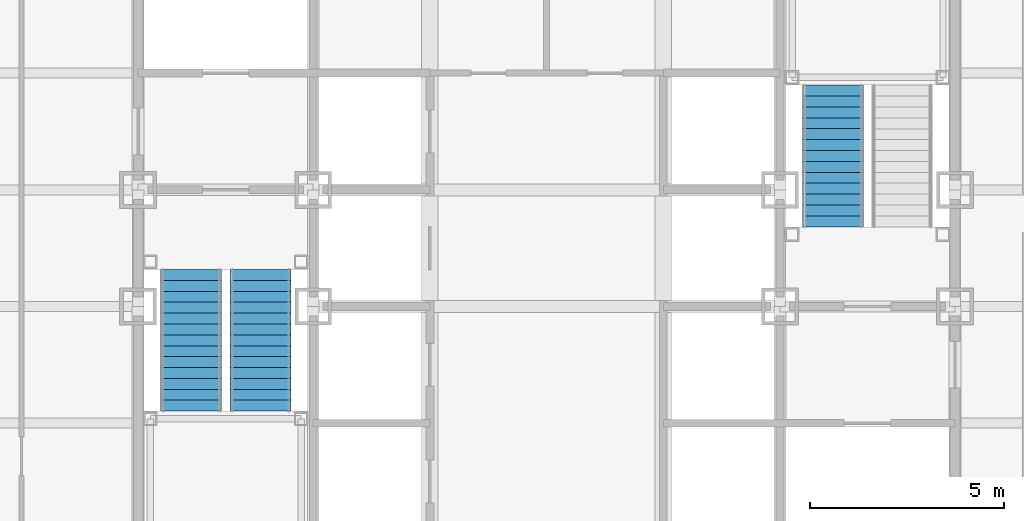
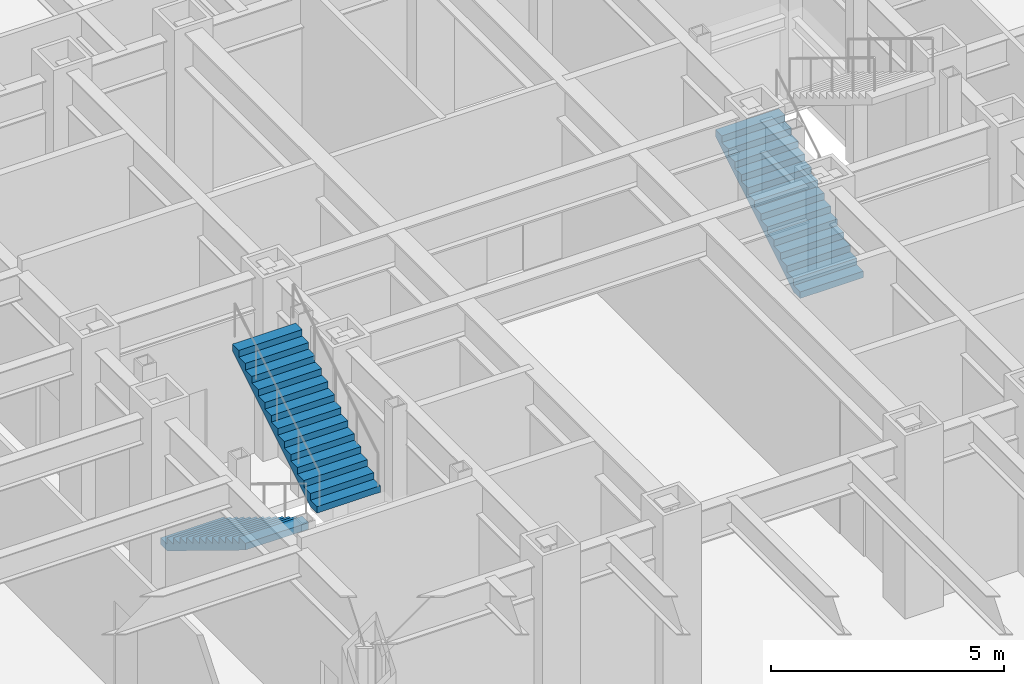
# One storey, part 16 of 24: 3 stair flights, 2 elements without a shape of their own.
"""IFC4 building model written with IfcOpenShell, lengths in metres."""

import ifcopenshell
import ifcopenshell.guid

model = None  # the IFC model being written
_history = None  # IfcOwnerHistory: only IFC2X3 demands one
_inside = {}  # id of a spatial element -> (the spatial element, [elements in it])
_under = {}  # id of a project, library or spatial element -> (it, [spatial elements below it])
_declared = {}  # id of a project -> (the project, [libraries it declares])
_typed = {}  # id of a type object -> (the type object, [elements of that type])
_made_of = {}  # id of a material, layer set ... -> (it, [elements and type objects made of it])


def new_model(schema):
    """Start an empty IFC model of exactly this schema.

    Asked for "IFC4X3", IfcOpenShell would pick the latest addendum, in which some entities
    have other attributes; the version numbers below select the first issue.
    IFC2X3 requires an IfcOwnerHistory on every rooted entity: one is made here for all.
    """
    global model, _history
    if schema == "IFC4X3":
        model = ifcopenshell.file(schema_version=(4, 3, 0, 0))
    else:
        model = ifcopenshell.file(schema=schema)
    _inside.clear()
    _under.clear()
    _declared.clear()
    _typed.clear()
    _made_of.clear()
    _history = None
    if model.schema == "IFC2X3":
        org = make("IfcOrganization", Name="unknown")
        user = make(
            "IfcPersonAndOrganization",
            ThePerson=make("IfcPerson", FamilyName="unknown"),
            TheOrganization=org,
        )
        app = make(
            "IfcApplication",
            ApplicationDeveloper=org,
            Version="unknown",
            ApplicationFullName="unknown",
            ApplicationIdentifier="unknown",
        )
        _history = make(
            "IfcOwnerHistory",
            OwningUser=user,
            OwningApplication=app,
            ChangeAction="ADDED",
            CreationDate=0,
        )
    return model


def make(cls, **values):
    """One entity of the class cls with the attributes given. An attribute that is None is left unset."""
    return model.create_entity(
        cls, **{name: value for name, value in values.items() if value is not None}
    )


def rooted(cls, **values):
    """An entity with a GlobalId (a new one), such as an element, a storey or a relation."""
    return make(cls, GlobalId=ifcopenshell.guid.new(), OwnerHistory=_history, **values)


def si_unit(unit_type, name, prefix=None):
    """IfcSIUnit, for example si_unit("LENGTHUNIT", "METRE", prefix="MILLI")."""
    return make("IfcSIUnit", UnitType=unit_type, Prefix=prefix, Name=name)


def assignment(units):
    """IfcUnitAssignment: the units of a project."""
    return None if units is None else make("IfcUnitAssignment", Units=units)


def point(xyz):
    """IfcCartesianPoint."""
    return None if xyz is None else make("IfcCartesianPoint", Coordinates=xyz)


def direction(xyz):
    """IfcDirection."""
    return None if xyz is None else make("IfcDirection", DirectionRatios=xyz)


def frame(location, z_axis=None, x_axis=None):
    """IfcAxis2Placement3D, a coordinate frame: its origin and axes. An axis left out is left unset."""
    return make(
        "IfcAxis2Placement3D",
        Location=point(location),
        Axis=direction(z_axis),
        RefDirection=direction(x_axis),
    )


def origin():
    """The frame at (0, 0, 0) with its axes left unset."""
    return frame((0.0, 0.0, 0.0))


def place(relative_to, where):
    """IfcLocalPlacement: puts the frame where relative to a parent placement (None: the world)."""
    return make(
        "IfcLocalPlacement", PlacementRelTo=relative_to, RelativePlacement=where
    )


def context(
    kind, dimensions, precision=None, world=None, true_north=None, identifier=None
):
    """IfcGeometricRepresentationContext, for example the 3D "Model" context."""
    return make(
        "IfcGeometricRepresentationContext",
        ContextIdentifier=identifier,
        ContextType=kind,
        CoordinateSpaceDimension=dimensions,
        Precision=precision,
        WorldCoordinateSystem=world,
        TrueNorth=true_north,
    )


def subcontext(parent, identifier, kind, view, scale=None):
    """IfcGeometricRepresentationSubContext, for example "Body" below "Model"."""
    return make(
        "IfcGeometricRepresentationSubContext",
        ContextIdentifier=identifier,
        ContextType=kind,
        ParentContext=parent,
        TargetScale=scale,
        TargetView=view,
    )


def project(units=None, contexts=None):
    """IfcProject with its units and contexts."""
    return rooted(
        "IfcProject",
        Name="project",
        RepresentationContexts=contexts,
        UnitsInContext=assignment(units),
    )


def spatial(cls, under=None, at=None, **own):
    """A site, building, storey or space (cls), placed at a placement, below another one or the project."""
    s = rooted(cls, ObjectPlacement=at, **own)
    if under is not None:
        _under.setdefault(under.id(), (under, []))[1].append(s)
    return s


def faces_of(points, faces, orient=None, outer=None):
    """IfcFace entities. A face is a list of loops; a loop is a list of indices into points, from 0.

    orient and outer hold one flag for each loop. By default every Orientation is true, the
    first loop of a face is its IfcFaceOuterBound and the others are IfcFaceBound.
    """
    made = []
    for i, loops in enumerate(faces):
        bounds = []
        for j, loop in enumerate(loops):
            is_outer = j == 0 if outer is None else outer[i][j]
            bounds.append(
                make(
                    "IfcFaceOuterBound" if is_outer else "IfcFaceBound",
                    Bound=make("IfcPolyLoop", Polygon=[points[k] for k in loop]),
                    Orientation=True if orient is None else orient[i][j],
                )
            )
        made.append(make("IfcFace", Bounds=bounds))
    return made


def faceted_brep(points, faces, orient=None, outer=None, voids=None):
    """IfcFacetedBrep: a solid bounded by flat faces; with voids (closed shells), ...WithVoids."""
    shared = [point(p) for p in points]
    hull = make("IfcClosedShell", CfsFaces=faces_of(shared, faces, orient, outer))
    if voids is None:
        return make("IfcFacetedBrep", Outer=hull)
    return make(
        "IfcFacetedBrepWithVoids",
        Outer=hull,
        Voids=[
            make(cls, CfsFaces=faces_of(shared, fs, o, b)) for cls, fs, o, b in voids
        ],
    )


def shape(context_of_items, identifier, shape_type, items):
    """IfcShapeRepresentation: the items that make up one representation, for example the "Body"."""
    return make(
        "IfcShapeRepresentation",
        ContextOfItems=context_of_items,
        RepresentationIdentifier=identifier,
        RepresentationType=shape_type,
        Items=items,
    )


def material(Name=None, Category=None):
    """IfcMaterial."""
    return make("IfcMaterial", Name=Name, Category=Category)


def made_of(thing, what):
    """Note that an element or type object is made of a material, layer set ...; save() writes the relation."""
    if what is not None:
        _made_of.setdefault(what.id(), (what, []))[1].append(thing)
    return thing


def type_object(cls, material=None, **own):
    """A type object (cls), such as IfcWallType, which elements share."""
    return made_of(rooted(cls, **own), material)


def element(
    cls,
    number,
    at=None,
    inside=None,
    cuts=None,
    type_object=None,
    material=None,
    context=None,
    identifier="Body",
    shape_type=None,
    held_by="IfcProductDefinitionShape",
    body=None,
    shapes=None,
    **own,
):
    """One element of the class cls, such as IfcWall. Its Tag is "e" and its number.

    at: its placement. inside: the storey or other place that contains it. cuts: it is an
    opening in that element (IfcRelVoidsElement). A single representation is given by context,
    identifier, shape_type and body (its items); several are given by shapes. held_by: the class
    of the entity that holds the representations. save() writes the other relations.
    """
    e = rooted(cls, Tag="e%d" % number, ObjectPlacement=at, **own)
    if body is not None:
        shapes = [shape(context, identifier, shape_type, body)]
    if shapes is not None:
        e.Representation = make(held_by, Representations=shapes)
    if inside is not None:
        _inside.setdefault(inside.id(), (inside, []))[1].append(e)
    if cuts is not None:
        rooted(
            "IfcRelVoidsElement", RelatingBuildingElement=cuts, RelatedOpeningElement=e
        )
    if type_object is not None:
        _typed.setdefault(type_object.id(), (type_object, []))[1].append(e)
    return made_of(e, material)


def aggregate(whole, parts):
    """IfcRelAggregates: a whole, such as a stair, and the parts it consists of."""
    return rooted("IfcRelAggregates", RelatingObject=whole, RelatedObjects=parts)


def save(model, path):
    """Write the relations noted so far, then the file.

    IfcRelAggregates (storeys below a building ...), IfcRelContainedInSpatialStructure (elements
    in a storey), IfcRelDefinesByType, IfcRelAssociatesMaterial and IfcRelDeclares: one each for
    every whole, place, type object, material and project.
    """
    for whole, parts in _under.values():
        aggregate(whole, parts)
    for where, things in _inside.values():
        rooted(
            "IfcRelContainedInSpatialStructure",
            RelatedElements=things,
            RelatingStructure=where,
        )
    for kind, things in _typed.values():
        rooted("IfcRelDefinesByType", RelatedObjects=things, RelatingType=kind)
    for what, things in _made_of.values():
        rooted("IfcRelAssociatesMaterial", RelatedObjects=things, RelatingMaterial=what)
    for by, libraries in _declared.values():
        rooted("IfcRelDeclares", RelatingContext=by, RelatedDefinitions=libraries)
    model.write(path)


model = new_model("IFC4")

# Units and contexts
model_context = context("Model", 3, precision=1e-05, world=origin(), true_north=direction((0.0, 1.0)))
body_context = subcontext(model_context, "Body", "Model", "MODEL_VIEW")
ifc_project = project(units=[si_unit("LENGTHUNIT", "METRE"), si_unit("AREAUNIT", "SQUARE_METRE"), si_unit("VOLUMEUNIT", "CUBIC_METRE"), si_unit("PLANEANGLEUNIT", "RADIAN"), si_unit("MASSUNIT", "GRAM", prefix="KILO")], contexts=[model_context])

# Site, building, storey
site_placement = place(None, origin())
site = spatial("IfcSite", under=ifc_project, at=site_placement, CompositionType="ELEMENT")
building_placement = place(site_placement, origin())
building = spatial("IfcBuilding", under=site, at=building_placement, Name="Chuquiago Exchange Tower", CompositionType="ELEMENT")
storey_placement = place(building_placement, frame((0.0, 0.0, 19.5)))
storey = spatial("IfcBuildingStorey", under=building, at=storey_placement, Name="L03", CompositionType="ELEMENT", Elevation=19.5)

# Stair, stair flights
ifc_material_1 = material(Name="Concrete C30/37, precast", Category="concrete")
stair_type_1 = type_object("IfcStairType", Name="ST1 half-turn stair 4800", PredefinedType="HALF_TURN_STAIR", material=ifc_material_1)
stair_1_placement = place(storey_placement, origin())
stair_1 = element("IfcStair", 1, at=stair_1_placement, inside=storey, type_object=stair_type_1, Name="Stair ST1 L03", PredefinedType="HALF_TURN_STAIR")
ifc_material_2 = material(Name="Concrete C30/37, precast", Category="concrete")
stair_flight_type = type_object("IfcStairFlightType", Name="ST-F flight 1570 for 4800 storey", PredefinedType="STRAIGHT", material=ifc_material_2)
stair_flight_1_placement = place(storey_placement, frame((13.360107421875, 21.949951171875, 0.0), z_axis=(0.0, 0.0, 1.0), x_axis=(0.0, -1.0, 0.0)))
stair_flight_1 = element("IfcStairFlight", 2, at=stair_flight_1_placement, type_object=stair_flight_type, Name="ST1 flight 1", NumberOfRisers=14, NumberOfTreads=13, PredefinedType="STRAIGHT", RiserHeight=0.171428571, TreadLength=0.28, context=body_context, shape_type="Brep", body=[
    faceted_brep([(0.0, 0.78515625, 0.0), (0.0, 0.78515625, 0.17138671875), (0.280029296875, 0.78515625, 0.17138671875), (0.280029296875, 0.78515625, 0.3427734375), (0.56005859375, 0.78515625, 0.3427734375), (0.56005859375, 0.78515625, 0.514404296875), (0.840087890625, 0.78515625, 0.514404296875), (0.840087890625, 0.78515625, 0.685791015625), (1.1201171875, 0.78515625, 0.685791015625), (1.1201171875, 0.78515625, 0.857177734375), (1.39990234375, 0.78515625, 0.857177734375), (1.39990234375, 0.78515625, 1.028564453125), (1.679931640625, 0.78515625, 1.028564453125), (1.679931640625, 0.78515625, 1.199951171875), (1.9599609375, 0.78515625, 1.199951171875), (1.9599609375, 0.78515625, 1.371337890625), (2.239990234375, 0.78515625, 1.371337890625), (2.239990234375, 0.78515625, 1.54296875), (2.52001953125, 0.78515625, 1.54296875), (2.52001953125, 0.78515625, 1.71435546875), (2.800048828125, 0.78515625, 1.71435546875), (2.800048828125, 0.78515625, 1.8857421875), (3.080078125, 0.78515625, 1.8857421875), (3.080078125, 0.78515625, 2.05712890625), (3.360107421875, 0.78515625, 2.05712890625), (3.360107421875, 0.78515625, 2.228515625), (3.639892578125, 0.78515625, 2.228515625), (3.639892578125, 0.78515625, 2.052734375), (0.287109375, 0.78515625, 0.0), (0.287109375, -0.78515625, 0.0), (3.639892578125, -0.78515625, 2.052734375), (3.639892578125, -0.78515625, 2.228515625), (3.360107421875, -0.78515625, 2.228515625), (3.360107421875, -0.78515625, 2.05712890625), (3.080078125, -0.78515625, 2.05712890625), (3.080078125, -0.78515625, 1.8857421875), (2.800048828125, -0.78515625, 1.8857421875), (2.800048828125, -0.78515625, 1.71435546875), (2.52001953125, -0.78515625, 1.71435546875), (2.52001953125, -0.78515625, 1.54296875), (2.239990234375, -0.78515625, 1.54296875), (2.239990234375, -0.78515625, 1.371337890625), (1.9599609375, -0.78515625, 1.371337890625), (1.9599609375, -0.78515625, 1.199951171875), (1.679931640625, -0.78515625, 1.199951171875), (1.679931640625, -0.78515625, 1.028564453125), (1.39990234375, -0.78515625, 1.028564453125), (1.39990234375, -0.78515625, 0.857177734375), (1.1201171875, -0.78515625, 0.857177734375), (1.1201171875, -0.78515625, 0.685791015625), (0.840087890625, -0.78515625, 0.685791015625), (0.840087890625, -0.78515625, 0.514404296875), (0.56005859375, -0.78515625, 0.514404296875), (0.56005859375, -0.78515625, 0.3427734375), (0.280029296875, -0.78515625, 0.3427734375), (0.280029296875, -0.78515625, 0.17138671875), (0.0, -0.78515625, 0.17138671875), (0.0, -0.78515625, 0.0), (0.0, 0.392578125, 0.0), (0.0, 0.392578125, 0.17138671875), (0.0, 0.0, 0.0), (0.0, 0.0, 0.17138671875), (0.0, -0.392578125, 0.0), (0.0, -0.392578125, 0.17138671875), (0.280029296875, 0.392578125, 0.17138671875), (0.280029296875, 0.0, 0.17138671875), (0.280029296875, -0.392578125, 0.17138671875), (0.280029296875, 0.392578125, 0.3427734375), (0.280029296875, 0.0, 0.3427734375), (0.280029296875, -0.392578125, 0.3427734375), (0.56005859375, 0.392578125, 0.3427734375), (0.56005859375, 0.0, 0.3427734375), (0.56005859375, -0.392578125, 0.3427734375), (0.56005859375, 0.392578125, 0.514404296875), (0.56005859375, 0.0, 0.514404296875), (0.56005859375, -0.392578125, 0.514404296875), (0.840087890625, 0.392578125, 0.514404296875), (0.840087890625, 0.0, 0.514404296875), (0.840087890625, -0.392578125, 0.514404296875), (0.840087890625, 0.392578125, 0.685791015625), (0.840087890625, 0.0, 0.685791015625), (0.840087890625, -0.392578125, 0.685791015625), (1.1201171875, 0.392578125, 0.685791015625), (1.1201171875, 0.0, 0.685791015625), (1.1201171875, -0.392578125, 0.685791015625), (1.1201171875, 0.392578125, 0.857177734375), (1.1201171875, 0.0, 0.857177734375), (1.1201171875, -0.392578125, 0.857177734375), (1.39990234375, 0.392578125, 0.857177734375), (1.39990234375, 0.0, 0.857177734375), (1.39990234375, -0.392578125, 0.857177734375), (1.39990234375, 0.392578125, 1.028564453125), (1.39990234375, 0.0, 1.028564453125), (1.39990234375, -0.392578125, 1.028564453125), (1.679931640625, 0.392578125, 1.028564453125), (1.679931640625, 0.0, 1.028564453125), (1.679931640625, -0.392578125, 1.028564453125), (1.679931640625, 0.392578125, 1.199951171875), (1.679931640625, 0.0, 1.199951171875), (1.679931640625, -0.392578125, 1.199951171875), (1.9599609375, 0.392578125, 1.199951171875), (1.9599609375, 0.0, 1.199951171875), (1.9599609375, -0.392578125, 1.199951171875), (1.9599609375, 0.392578125, 1.371337890625), (1.9599609375, 0.0, 1.371337890625), (1.9599609375, -0.392578125, 1.371337890625), (2.239990234375, 0.392578125, 1.371337890625), (2.239990234375, 0.0, 1.371337890625), (2.239990234375, -0.392578125, 1.371337890625), (2.239990234375, 0.392578125, 1.54296875), (2.239990234375, 0.0, 1.54296875), (2.239990234375, -0.392578125, 1.54296875), (2.52001953125, 0.392578125, 1.54296875), (2.52001953125, 0.0, 1.54296875), (2.52001953125, -0.392578125, 1.54296875), (2.52001953125, 0.392578125, 1.71435546875), (2.52001953125, 0.0, 1.71435546875), (2.52001953125, -0.392578125, 1.71435546875), (2.800048828125, 0.392578125, 1.71435546875), (2.800048828125, 0.0, 1.71435546875), (2.800048828125, -0.392578125, 1.71435546875), (2.800048828125, 0.392578125, 1.8857421875), (2.800048828125, 0.0, 1.8857421875), (2.800048828125, -0.392578125, 1.8857421875), (3.080078125, 0.392578125, 1.8857421875), (3.080078125, 0.0, 1.8857421875), (3.080078125, -0.392578125, 1.8857421875), (3.080078125, 0.392578125, 2.05712890625), (3.080078125, 0.0, 2.05712890625), (3.080078125, -0.392578125, 2.05712890625), (3.360107421875, 0.392578125, 2.05712890625), (3.360107421875, 0.0, 2.05712890625), (3.360107421875, -0.392578125, 2.05712890625), (3.360107421875, 0.392578125, 2.228515625), (3.360107421875, 0.0, 2.228515625), (3.360107421875, -0.392578125, 2.228515625), (3.639892578125, 0.392578125, 2.228515625), (3.639892578125, 0.0, 2.228515625), (3.639892578125, -0.392578125, 2.228515625), (3.639892578125, 0.392578125, 2.052734375), (3.639892578125, 0.0, 2.052734375), (3.639892578125, -0.392578125, 2.052734375), (0.287109375, 0.392578125, 0.0), (0.287109375, 0.0, 0.0), (0.287109375, -0.392578125, 0.0)], [[[0, 1, 2, 3, 4, 5, 6, 7, 8, 9, 10, 11, 12, 13, 14, 15, 16, 17, 18, 19, 20, 21, 22, 23, 24, 25, 26, 27, 28]], [[29, 30, 31, 32, 33, 34, 35, 36, 37, 38, 39, 40, 41, 42, 43, 44, 45, 46, 47, 48, 49, 50, 51, 52, 53, 54, 55, 56, 57]], [[1, 0, 58, 59]], [[59, 58, 60, 61]], [[61, 60, 62, 63]], [[63, 62, 57, 56]], [[2, 1, 59, 64]], [[64, 59, 61, 65]], [[65, 61, 63, 66]], [[66, 63, 56, 55]], [[3, 2, 64, 67]], [[67, 64, 65, 68]], [[68, 65, 66, 69]], [[69, 66, 55, 54]], [[4, 3, 67, 70]], [[70, 67, 68, 71]], [[71, 68, 69, 72]], [[72, 69, 54, 53]], [[5, 4, 70, 73]], [[73, 70, 71, 74]], [[74, 71, 72, 75]], [[75, 72, 53, 52]], [[6, 5, 73, 76]], [[76, 73, 74, 77]], [[77, 74, 75, 78]], [[78, 75, 52, 51]], [[7, 6, 76, 79]], [[79, 76, 77, 80]], [[80, 77, 78, 81]], [[81, 78, 51, 50]], [[8, 7, 79, 82]], [[82, 79, 80, 83]], [[83, 80, 81, 84]], [[84, 81, 50, 49]], [[9, 8, 82, 85]], [[85, 82, 83, 86]], [[86, 83, 84, 87]], [[87, 84, 49, 48]], [[10, 9, 85, 88]], [[88, 85, 86, 89]], [[89, 86, 87, 90]], [[90, 87, 48, 47]], [[11, 10, 88, 91]], [[91, 88, 89, 92]], [[92, 89, 90, 93]], [[93, 90, 47, 46]], [[12, 11, 91, 94]], [[94, 91, 92, 95]], [[95, 92, 93, 96]], [[96, 93, 46, 45]], [[13, 12, 94, 97]], [[97, 94, 95, 98]], [[98, 95, 96, 99]], [[99, 96, 45, 44]], [[14, 13, 97, 100]], [[100, 97, 98, 101]], [[101, 98, 99, 102]], [[102, 99, 44, 43]], [[15, 14, 100, 103]], [[103, 100, 101, 104]], [[104, 101, 102, 105]], [[105, 102, 43, 42]], [[16, 15, 103, 106]], [[106, 103, 104, 107]], [[107, 104, 105, 108]], [[108, 105, 42, 41]], [[17, 16, 106, 109]], [[109, 106, 107, 110]], [[110, 107, 108, 111]], [[111, 108, 41, 40]], [[18, 17, 109, 112]], [[112, 109, 110, 113]], [[113, 110, 111, 114]], [[114, 111, 40, 39]], [[19, 18, 112, 115]], [[115, 112, 113, 116]], [[116, 113, 114, 117]], [[117, 114, 39, 38]], [[20, 19, 115, 118]], [[118, 115, 116, 119]], [[119, 116, 117, 120]], [[120, 117, 38, 37]], [[21, 20, 118, 121]], [[121, 118, 119, 122]], [[122, 119, 120, 123]], [[123, 120, 37, 36]], [[22, 21, 121, 124]], [[124, 121, 122, 125]], [[125, 122, 123, 126]], [[126, 123, 36, 35]], [[23, 22, 124, 127]], [[127, 124, 125, 128]], [[128, 125, 126, 129]], [[129, 126, 35, 34]], [[24, 23, 127, 130]], [[130, 127, 128, 131]], [[131, 128, 129, 132]], [[132, 129, 34, 33]], [[25, 24, 130, 133]], [[133, 130, 131, 134]], [[134, 131, 132, 135]], [[135, 132, 33, 32]], [[26, 25, 133, 136]], [[136, 133, 134, 137]], [[137, 134, 135, 138]], [[138, 135, 32, 31]], [[27, 26, 136, 139]], [[139, 136, 137, 140]], [[140, 137, 138, 141]], [[141, 138, 31, 30]], [[28, 27, 139, 142]], [[142, 139, 140, 143]], [[143, 140, 141, 144]], [[144, 141, 30, 29]], [[0, 28, 142, 58]], [[58, 142, 143, 60]], [[60, 143, 144, 62]], [[62, 144, 29, 57]]]),
])
stair_flight_2_placement = place(storey_placement, frame((15.139892578125, 18.31005859375, 2.39990234375), z_axis=(0.0, 0.0, 1.0), x_axis=(0.0, 1.0, 0.0)))
stair_flight_2 = element("IfcStairFlight", 3, at=stair_flight_2_placement, type_object=stair_flight_type, Name="ST1 flight 2", NumberOfRisers=14, NumberOfTreads=13, PredefinedType="STRAIGHT", RiserHeight=0.171428571, TreadLength=0.28, context=body_context, shape_type="Brep", body=[
    faceted_brep([(0.0, 0.78515625, 0.0), (0.0, 0.78515625, 0.17138671875), (0.280029296875, 0.78515625, 0.17138671875), (0.280029296875, 0.78515625, 0.3427734375), (0.56005859375, 0.78515625, 0.3427734375), (0.56005859375, 0.78515625, 0.514404296875), (0.840087890625, 0.78515625, 0.514404296875), (0.840087890625, 0.78515625, 0.685791015625), (1.1201171875, 0.78515625, 0.685791015625), (1.1201171875, 0.78515625, 0.857177734375), (1.39990234375, 0.78515625, 0.857177734375), (1.39990234375, 0.78515625, 1.028564453125), (1.679931640625, 0.78515625, 1.028564453125), (1.679931640625, 0.78515625, 1.199951171875), (1.9599609375, 0.78515625, 1.199951171875), (1.9599609375, 0.78515625, 1.371337890625), (2.239990234375, 0.78515625, 1.371337890625), (2.239990234375, 0.78515625, 1.54296875), (2.52001953125, 0.78515625, 1.54296875), (2.52001953125, 0.78515625, 1.71435546875), (2.800048828125, 0.78515625, 1.71435546875), (2.800048828125, 0.78515625, 1.8857421875), (3.080078125, 0.78515625, 1.8857421875), (3.080078125, 0.78515625, 2.05712890625), (3.360107421875, 0.78515625, 2.05712890625), (3.360107421875, 0.78515625, 2.228515625), (3.639892578125, 0.78515625, 2.228515625), (3.639892578125, 0.78515625, 2.052734375), (0.287109375, 0.78515625, 0.0), (0.287109375, -0.78515625, 0.0), (3.639892578125, -0.78515625, 2.052734375), (3.639892578125, -0.78515625, 2.228515625), (3.360107421875, -0.78515625, 2.228515625), (3.360107421875, -0.78515625, 2.05712890625), (3.080078125, -0.78515625, 2.05712890625), (3.080078125, -0.78515625, 1.8857421875), (2.800048828125, -0.78515625, 1.8857421875), (2.800048828125, -0.78515625, 1.71435546875), (2.52001953125, -0.78515625, 1.71435546875), (2.52001953125, -0.78515625, 1.54296875), (2.239990234375, -0.78515625, 1.54296875), (2.239990234375, -0.78515625, 1.371337890625), (1.9599609375, -0.78515625, 1.371337890625), (1.9599609375, -0.78515625, 1.199951171875), (1.679931640625, -0.78515625, 1.199951171875), (1.679931640625, -0.78515625, 1.028564453125), (1.39990234375, -0.78515625, 1.028564453125), (1.39990234375, -0.78515625, 0.857177734375), (1.1201171875, -0.78515625, 0.857177734375), (1.1201171875, -0.78515625, 0.685791015625), (0.840087890625, -0.78515625, 0.685791015625), (0.840087890625, -0.78515625, 0.514404296875), (0.56005859375, -0.78515625, 0.514404296875), (0.56005859375, -0.78515625, 0.3427734375), (0.280029296875, -0.78515625, 0.3427734375), (0.280029296875, -0.78515625, 0.17138671875), (0.0, -0.78515625, 0.17138671875), (0.0, -0.78515625, 0.0), (0.0, 0.392578125, 0.0), (0.0, 0.392578125, 0.17138671875), (0.0, 0.0, 0.0), (0.0, 0.0, 0.17138671875), (0.0, -0.392578125, 0.0), (0.0, -0.392578125, 0.17138671875), (0.280029296875, 0.392578125, 0.17138671875), (0.280029296875, 0.0, 0.17138671875), (0.280029296875, -0.392578125, 0.17138671875), (0.280029296875, 0.392578125, 0.3427734375), (0.280029296875, 0.0, 0.3427734375), (0.280029296875, -0.392578125, 0.3427734375), (0.56005859375, 0.392578125, 0.3427734375), (0.56005859375, 0.0, 0.3427734375), (0.56005859375, -0.392578125, 0.3427734375), (0.56005859375, 0.392578125, 0.514404296875), (0.56005859375, 0.0, 0.514404296875), (0.56005859375, -0.392578125, 0.514404296875), (0.840087890625, 0.392578125, 0.514404296875), (0.840087890625, 0.0, 0.514404296875), (0.840087890625, -0.392578125, 0.514404296875), (0.840087890625, 0.392578125, 0.685791015625), (0.840087890625, 0.0, 0.685791015625), (0.840087890625, -0.392578125, 0.685791015625), (1.1201171875, 0.392578125, 0.685791015625), (1.1201171875, 0.0, 0.685791015625), (1.1201171875, -0.392578125, 0.685791015625), (1.1201171875, 0.392578125, 0.857177734375), (1.1201171875, 0.0, 0.857177734375), (1.1201171875, -0.392578125, 0.857177734375), (1.39990234375, 0.392578125, 0.857177734375), (1.39990234375, 0.0, 0.857177734375), (1.39990234375, -0.392578125, 0.857177734375), (1.39990234375, 0.392578125, 1.028564453125), (1.39990234375, 0.0, 1.028564453125), (1.39990234375, -0.392578125, 1.028564453125), (1.679931640625, 0.392578125, 1.028564453125), (1.679931640625, 0.0, 1.028564453125), (1.679931640625, -0.392578125, 1.028564453125), (1.679931640625, 0.392578125, 1.199951171875), (1.679931640625, 0.0, 1.199951171875), (1.679931640625, -0.392578125, 1.199951171875), (1.9599609375, 0.392578125, 1.199951171875), (1.9599609375, 0.0, 1.199951171875), (1.9599609375, -0.392578125, 1.199951171875), (1.9599609375, 0.392578125, 1.371337890625), (1.9599609375, 0.0, 1.371337890625), (1.9599609375, -0.392578125, 1.371337890625), (2.239990234375, 0.392578125, 1.371337890625), (2.239990234375, 0.0, 1.371337890625), (2.239990234375, -0.392578125, 1.371337890625), (2.239990234375, 0.392578125, 1.54296875), (2.239990234375, 0.0, 1.54296875), (2.239990234375, -0.392578125, 1.54296875), (2.52001953125, 0.392578125, 1.54296875), (2.52001953125, 0.0, 1.54296875), (2.52001953125, -0.392578125, 1.54296875), (2.52001953125, 0.392578125, 1.71435546875), (2.52001953125, 0.0, 1.71435546875), (2.52001953125, -0.392578125, 1.71435546875), (2.800048828125, 0.392578125, 1.71435546875), (2.800048828125, 0.0, 1.71435546875), (2.800048828125, -0.392578125, 1.71435546875), (2.800048828125, 0.392578125, 1.8857421875), (2.800048828125, 0.0, 1.8857421875), (2.800048828125, -0.392578125, 1.8857421875), (3.080078125, 0.392578125, 1.8857421875), (3.080078125, 0.0, 1.8857421875), (3.080078125, -0.392578125, 1.8857421875), (3.080078125, 0.392578125, 2.05712890625), (3.080078125, 0.0, 2.05712890625), (3.080078125, -0.392578125, 2.05712890625), (3.360107421875, 0.392578125, 2.05712890625), (3.360107421875, 0.0, 2.05712890625), (3.360107421875, -0.392578125, 2.05712890625), (3.360107421875, 0.392578125, 2.228515625), (3.360107421875, 0.0, 2.228515625), (3.360107421875, -0.392578125, 2.228515625), (3.639892578125, 0.392578125, 2.228515625), (3.639892578125, 0.0, 2.228515625), (3.639892578125, -0.392578125, 2.228515625), (3.639892578125, 0.392578125, 2.052734375), (3.639892578125, 0.0, 2.052734375), (3.639892578125, -0.392578125, 2.052734375), (0.287109375, 0.392578125, 0.0), (0.287109375, 0.0, 0.0), (0.287109375, -0.392578125, 0.0)], [[[0, 1, 2, 3, 4, 5, 6, 7, 8, 9, 10, 11, 12, 13, 14, 15, 16, 17, 18, 19, 20, 21, 22, 23, 24, 25, 26, 27, 28]], [[29, 30, 31, 32, 33, 34, 35, 36, 37, 38, 39, 40, 41, 42, 43, 44, 45, 46, 47, 48, 49, 50, 51, 52, 53, 54, 55, 56, 57]], [[1, 0, 58, 59]], [[59, 58, 60, 61]], [[61, 60, 62, 63]], [[63, 62, 57, 56]], [[2, 1, 59, 64]], [[64, 59, 61, 65]], [[65, 61, 63, 66]], [[66, 63, 56, 55]], [[3, 2, 64, 67]], [[67, 64, 65, 68]], [[68, 65, 66, 69]], [[69, 66, 55, 54]], [[4, 3, 67, 70]], [[70, 67, 68, 71]], [[71, 68, 69, 72]], [[72, 69, 54, 53]], [[5, 4, 70, 73]], [[73, 70, 71, 74]], [[74, 71, 72, 75]], [[75, 72, 53, 52]], [[6, 5, 73, 76]], [[76, 73, 74, 77]], [[77, 74, 75, 78]], [[78, 75, 52, 51]], [[7, 6, 76, 79]], [[79, 76, 77, 80]], [[80, 77, 78, 81]], [[81, 78, 51, 50]], [[8, 7, 79, 82]], [[82, 79, 80, 83]], [[83, 80, 81, 84]], [[84, 81, 50, 49]], [[9, 8, 82, 85]], [[85, 82, 83, 86]], [[86, 83, 84, 87]], [[87, 84, 49, 48]], [[10, 9, 85, 88]], [[88, 85, 86, 89]], [[89, 86, 87, 90]], [[90, 87, 48, 47]], [[11, 10, 88, 91]], [[91, 88, 89, 92]], [[92, 89, 90, 93]], [[93, 90, 47, 46]], [[12, 11, 91, 94]], [[94, 91, 92, 95]], [[95, 92, 93, 96]], [[96, 93, 46, 45]], [[13, 12, 94, 97]], [[97, 94, 95, 98]], [[98, 95, 96, 99]], [[99, 96, 45, 44]], [[14, 13, 97, 100]], [[100, 97, 98, 101]], [[101, 98, 99, 102]], [[102, 99, 44, 43]], [[15, 14, 100, 103]], [[103, 100, 101, 104]], [[104, 101, 102, 105]], [[105, 102, 43, 42]], [[16, 15, 103, 106]], [[106, 103, 104, 107]], [[107, 104, 105, 108]], [[108, 105, 42, 41]], [[17, 16, 106, 109]], [[109, 106, 107, 110]], [[110, 107, 108, 111]], [[111, 108, 41, 40]], [[18, 17, 109, 112]], [[112, 109, 110, 113]], [[113, 110, 111, 114]], [[114, 111, 40, 39]], [[19, 18, 112, 115]], [[115, 112, 113, 116]], [[116, 113, 114, 117]], [[117, 114, 39, 38]], [[20, 19, 115, 118]], [[118, 115, 116, 119]], [[119, 116, 117, 120]], [[120, 117, 38, 37]], [[21, 20, 118, 121]], [[121, 118, 119, 122]], [[122, 119, 120, 123]], [[123, 120, 37, 36]], [[22, 21, 121, 124]], [[124, 121, 122, 125]], [[125, 122, 123, 126]], [[126, 123, 36, 35]], [[23, 22, 124, 127]], [[127, 124, 125, 128]], [[128, 125, 126, 129]], [[129, 126, 35, 34]], [[24, 23, 127, 130]], [[130, 127, 128, 131]], [[131, 128, 129, 132]], [[132, 129, 34, 33]], [[25, 24, 130, 133]], [[133, 130, 131, 134]], [[134, 131, 132, 135]], [[135, 132, 33, 32]], [[26, 25, 133, 136]], [[136, 133, 134, 137]], [[137, 134, 135, 138]], [[138, 135, 32, 31]], [[27, 26, 136, 139]], [[139, 136, 137, 140]], [[140, 137, 138, 141]], [[141, 138, 31, 30]], [[28, 27, 139, 142]], [[142, 139, 140, 143]], [[143, 140, 141, 144]], [[144, 141, 30, 29]], [[0, 28, 142, 58]], [[58, 142, 143, 60]], [[60, 143, 144, 62]], [[62, 144, 29, 57]]]),
])
aggregate(stair_1, [stair_flight_1, stair_flight_2])

# Stair, stair flight
ifc_material_3 = material(Name="Concrete C30/37, precast", Category="concrete")
stair_type_2 = type_object("IfcStairType", Name="ST2 half-turn stair 4800", PredefinedType="HALF_TURN_STAIR", material=ifc_material_3)
stair_2_placement = place(storey_placement, origin())
stair_2 = element("IfcStair", 4, at=stair_2_placement, inside=storey, type_object=stair_type_2, Name="Stair ST2 L03", PredefinedType="HALF_TURN_STAIR")
stair_flight_3_placement = place(storey_placement, frame((29.860107421875, 23.050048828125, 0.0), z_axis=(0.0, 0.0, 1.0), x_axis=(0.0, 1.0, 0.0)))
stair_flight_3 = element("IfcStairFlight", 5, at=stair_flight_3_placement, type_object=stair_flight_type, Name="ST2 flight 1", NumberOfRisers=14, NumberOfTreads=13, PredefinedType="STRAIGHT", RiserHeight=0.171428571, TreadLength=0.28, context=body_context, shape_type="Brep", body=[
    faceted_brep([(0.0, 0.78515625, 0.0), (0.0, 0.78515625, 0.17138671875), (0.280029296875, 0.78515625, 0.17138671875), (0.280029296875, 0.78515625, 0.3427734375), (0.56005859375, 0.78515625, 0.3427734375), (0.56005859375, 0.78515625, 0.514404296875), (0.840087890625, 0.78515625, 0.514404296875), (0.840087890625, 0.78515625, 0.685791015625), (1.1201171875, 0.78515625, 0.685791015625), (1.1201171875, 0.78515625, 0.857177734375), (1.39990234375, 0.78515625, 0.857177734375), (1.39990234375, 0.78515625, 1.028564453125), (1.679931640625, 0.78515625, 1.028564453125), (1.679931640625, 0.78515625, 1.199951171875), (1.9599609375, 0.78515625, 1.199951171875), (1.9599609375, 0.78515625, 1.371337890625), (2.239990234375, 0.78515625, 1.371337890625), (2.239990234375, 0.78515625, 1.54296875), (2.52001953125, 0.78515625, 1.54296875), (2.52001953125, 0.78515625, 1.71435546875), (2.800048828125, 0.78515625, 1.71435546875), (2.800048828125, 0.78515625, 1.8857421875), (3.080078125, 0.78515625, 1.8857421875), (3.080078125, 0.78515625, 2.05712890625), (3.360107421875, 0.78515625, 2.05712890625), (3.360107421875, 0.78515625, 2.228515625), (3.639892578125, 0.78515625, 2.228515625), (3.639892578125, 0.78515625, 2.052734375), (0.287109375, 0.78515625, 0.0), (0.287109375, -0.78515625, 0.0), (3.639892578125, -0.78515625, 2.052734375), (3.639892578125, -0.78515625, 2.228515625), (3.360107421875, -0.78515625, 2.228515625), (3.360107421875, -0.78515625, 2.05712890625), (3.080078125, -0.78515625, 2.05712890625), (3.080078125, -0.78515625, 1.8857421875), (2.800048828125, -0.78515625, 1.8857421875), (2.800048828125, -0.78515625, 1.71435546875), (2.52001953125, -0.78515625, 1.71435546875), (2.52001953125, -0.78515625, 1.54296875), (2.239990234375, -0.78515625, 1.54296875), (2.239990234375, -0.78515625, 1.371337890625), (1.9599609375, -0.78515625, 1.371337890625), (1.9599609375, -0.78515625, 1.199951171875), (1.679931640625, -0.78515625, 1.199951171875), (1.679931640625, -0.78515625, 1.028564453125), (1.39990234375, -0.78515625, 1.028564453125), (1.39990234375, -0.78515625, 0.857177734375), (1.1201171875, -0.78515625, 0.857177734375), (1.1201171875, -0.78515625, 0.685791015625), (0.840087890625, -0.78515625, 0.685791015625), (0.840087890625, -0.78515625, 0.514404296875), (0.56005859375, -0.78515625, 0.514404296875), (0.56005859375, -0.78515625, 0.3427734375), (0.280029296875, -0.78515625, 0.3427734375), (0.280029296875, -0.78515625, 0.17138671875), (0.0, -0.78515625, 0.17138671875), (0.0, -0.78515625, 0.0), (0.0, 0.392578125, 0.0), (0.0, 0.392578125, 0.17138671875), (0.0, 0.0, 0.0), (0.0, 0.0, 0.17138671875), (0.0, -0.392578125, 0.0), (0.0, -0.392578125, 0.17138671875), (0.280029296875, 0.392578125, 0.17138671875), (0.280029296875, 0.0, 0.17138671875), (0.280029296875, -0.392578125, 0.17138671875), (0.280029296875, 0.392578125, 0.3427734375), (0.280029296875, 0.0, 0.3427734375), (0.280029296875, -0.392578125, 0.3427734375), (0.56005859375, 0.392578125, 0.3427734375), (0.56005859375, 0.0, 0.3427734375), (0.56005859375, -0.392578125, 0.3427734375), (0.56005859375, 0.392578125, 0.514404296875), (0.56005859375, 0.0, 0.514404296875), (0.56005859375, -0.392578125, 0.514404296875), (0.840087890625, 0.392578125, 0.514404296875), (0.840087890625, 0.0, 0.514404296875), (0.840087890625, -0.392578125, 0.514404296875), (0.840087890625, 0.392578125, 0.685791015625), (0.840087890625, 0.0, 0.685791015625), (0.840087890625, -0.392578125, 0.685791015625), (1.1201171875, 0.392578125, 0.685791015625), (1.1201171875, 0.0, 0.685791015625), (1.1201171875, -0.392578125, 0.685791015625), (1.1201171875, 0.392578125, 0.857177734375), (1.1201171875, 0.0, 0.857177734375), (1.1201171875, -0.392578125, 0.857177734375), (1.39990234375, 0.392578125, 0.857177734375), (1.39990234375, 0.0, 0.857177734375), (1.39990234375, -0.392578125, 0.857177734375), (1.39990234375, 0.392578125, 1.028564453125), (1.39990234375, 0.0, 1.028564453125), (1.39990234375, -0.392578125, 1.028564453125), (1.679931640625, 0.392578125, 1.028564453125), (1.679931640625, 0.0, 1.028564453125), (1.679931640625, -0.392578125, 1.028564453125), (1.679931640625, 0.392578125, 1.199951171875), (1.679931640625, 0.0, 1.199951171875), (1.679931640625, -0.392578125, 1.199951171875), (1.9599609375, 0.392578125, 1.199951171875), (1.9599609375, 0.0, 1.199951171875), (1.9599609375, -0.392578125, 1.199951171875), (1.9599609375, 0.392578125, 1.371337890625), (1.9599609375, 0.0, 1.371337890625), (1.9599609375, -0.392578125, 1.371337890625), (2.239990234375, 0.392578125, 1.371337890625), (2.239990234375, 0.0, 1.371337890625), (2.239990234375, -0.392578125, 1.371337890625), (2.239990234375, 0.392578125, 1.54296875), (2.239990234375, 0.0, 1.54296875), (2.239990234375, -0.392578125, 1.54296875), (2.52001953125, 0.392578125, 1.54296875), (2.52001953125, 0.0, 1.54296875), (2.52001953125, -0.392578125, 1.54296875), (2.52001953125, 0.392578125, 1.71435546875), (2.52001953125, 0.0, 1.71435546875), (2.52001953125, -0.392578125, 1.71435546875), (2.800048828125, 0.392578125, 1.71435546875), (2.800048828125, 0.0, 1.71435546875), (2.800048828125, -0.392578125, 1.71435546875), (2.800048828125, 0.392578125, 1.8857421875), (2.800048828125, 0.0, 1.8857421875), (2.800048828125, -0.392578125, 1.8857421875), (3.080078125, 0.392578125, 1.8857421875), (3.080078125, 0.0, 1.8857421875), (3.080078125, -0.392578125, 1.8857421875), (3.080078125, 0.392578125, 2.05712890625), (3.080078125, 0.0, 2.05712890625), (3.080078125, -0.392578125, 2.05712890625), (3.360107421875, 0.392578125, 2.05712890625), (3.360107421875, 0.0, 2.05712890625), (3.360107421875, -0.392578125, 2.05712890625), (3.360107421875, 0.392578125, 2.228515625), (3.360107421875, 0.0, 2.228515625), (3.360107421875, -0.392578125, 2.228515625), (3.639892578125, 0.392578125, 2.228515625), (3.639892578125, 0.0, 2.228515625), (3.639892578125, -0.392578125, 2.228515625), (3.639892578125, 0.392578125, 2.052734375), (3.639892578125, 0.0, 2.052734375), (3.639892578125, -0.392578125, 2.052734375), (0.287109375, 0.392578125, 0.0), (0.287109375, 0.0, 0.0), (0.287109375, -0.392578125, 0.0)], [[[0, 1, 2, 3, 4, 5, 6, 7, 8, 9, 10, 11, 12, 13, 14, 15, 16, 17, 18, 19, 20, 21, 22, 23, 24, 25, 26, 27, 28]], [[29, 30, 31, 32, 33, 34, 35, 36, 37, 38, 39, 40, 41, 42, 43, 44, 45, 46, 47, 48, 49, 50, 51, 52, 53, 54, 55, 56, 57]], [[1, 0, 58, 59]], [[59, 58, 60, 61]], [[61, 60, 62, 63]], [[63, 62, 57, 56]], [[2, 1, 59, 64]], [[64, 59, 61, 65]], [[65, 61, 63, 66]], [[66, 63, 56, 55]], [[3, 2, 64, 67]], [[67, 64, 65, 68]], [[68, 65, 66, 69]], [[69, 66, 55, 54]], [[4, 3, 67, 70]], [[70, 67, 68, 71]], [[71, 68, 69, 72]], [[72, 69, 54, 53]], [[5, 4, 70, 73]], [[73, 70, 71, 74]], [[74, 71, 72, 75]], [[75, 72, 53, 52]], [[6, 5, 73, 76]], [[76, 73, 74, 77]], [[77, 74, 75, 78]], [[78, 75, 52, 51]], [[7, 6, 76, 79]], [[79, 76, 77, 80]], [[80, 77, 78, 81]], [[81, 78, 51, 50]], [[8, 7, 79, 82]], [[82, 79, 80, 83]], [[83, 80, 81, 84]], [[84, 81, 50, 49]], [[9, 8, 82, 85]], [[85, 82, 83, 86]], [[86, 83, 84, 87]], [[87, 84, 49, 48]], [[10, 9, 85, 88]], [[88, 85, 86, 89]], [[89, 86, 87, 90]], [[90, 87, 48, 47]], [[11, 10, 88, 91]], [[91, 88, 89, 92]], [[92, 89, 90, 93]], [[93, 90, 47, 46]], [[12, 11, 91, 94]], [[94, 91, 92, 95]], [[95, 92, 93, 96]], [[96, 93, 46, 45]], [[13, 12, 94, 97]], [[97, 94, 95, 98]], [[98, 95, 96, 99]], [[99, 96, 45, 44]], [[14, 13, 97, 100]], [[100, 97, 98, 101]], [[101, 98, 99, 102]], [[102, 99, 44, 43]], [[15, 14, 100, 103]], [[103, 100, 101, 104]], [[104, 101, 102, 105]], [[105, 102, 43, 42]], [[16, 15, 103, 106]], [[106, 103, 104, 107]], [[107, 104, 105, 108]], [[108, 105, 42, 41]], [[17, 16, 106, 109]], [[109, 106, 107, 110]], [[110, 107, 108, 111]], [[111, 108, 41, 40]], [[18, 17, 109, 112]], [[112, 109, 110, 113]], [[113, 110, 111, 114]], [[114, 111, 40, 39]], [[19, 18, 112, 115]], [[115, 112, 113, 116]], [[116, 113, 114, 117]], [[117, 114, 39, 38]], [[20, 19, 115, 118]], [[118, 115, 116, 119]], [[119, 116, 117, 120]], [[120, 117, 38, 37]], [[21, 20, 118, 121]], [[121, 118, 119, 122]], [[122, 119, 120, 123]], [[123, 120, 37, 36]], [[22, 21, 121, 124]], [[124, 121, 122, 125]], [[125, 122, 123, 126]], [[126, 123, 36, 35]], [[23, 22, 124, 127]], [[127, 124, 125, 128]], [[128, 125, 126, 129]], [[129, 126, 35, 34]], [[24, 23, 127, 130]], [[130, 127, 128, 131]], [[131, 128, 129, 132]], [[132, 129, 34, 33]], [[25, 24, 130, 133]], [[133, 130, 131, 134]], [[134, 131, 132, 135]], [[135, 132, 33, 32]], [[26, 25, 133, 136]], [[136, 133, 134, 137]], [[137, 134, 135, 138]], [[138, 135, 32, 31]], [[27, 26, 136, 139]], [[139, 136, 137, 140]], [[140, 137, 138, 141]], [[141, 138, 31, 30]], [[28, 27, 139, 142]], [[142, 139, 140, 143]], [[143, 140, 141, 144]], [[144, 141, 30, 29]], [[0, 28, 142, 58]], [[58, 142, 143, 60]], [[60, 143, 144, 62]], [[62, 144, 29, 57]]]),
])
aggregate(stair_2, [stair_flight_3])

save(model, "model.ifc")
